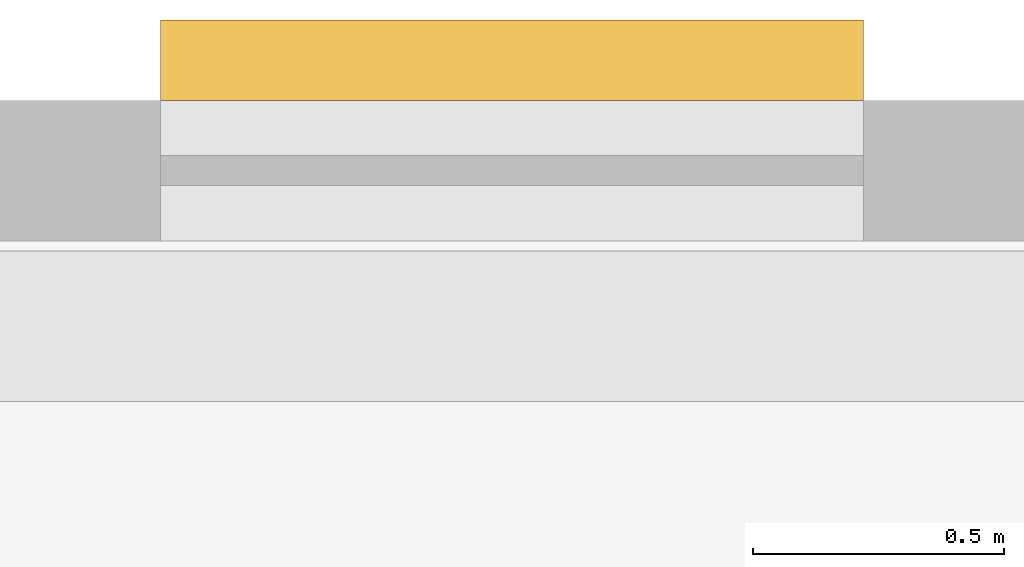
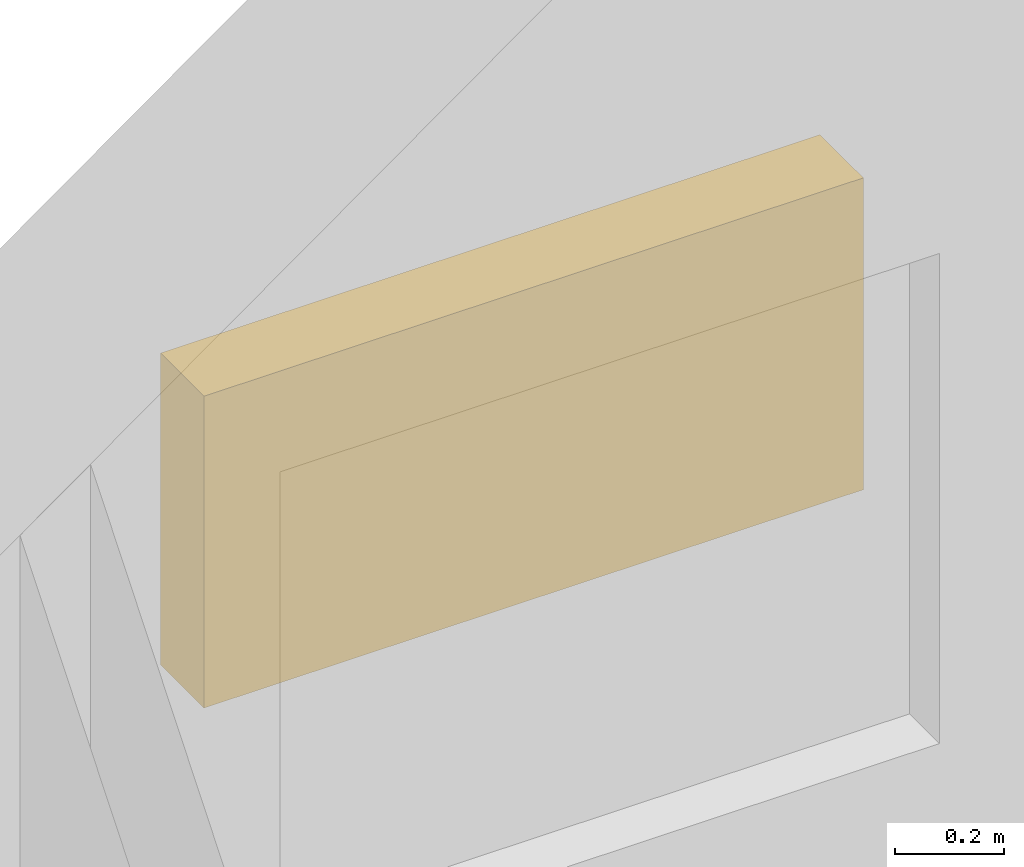
# One storey, part 10 of 10: 1 shading device.
"""IFC4 building model written with IfcOpenShell, lengths in metres."""

import ifcopenshell
import ifcopenshell.guid

model = None  # the IFC model being written
_history = None  # IfcOwnerHistory: only IFC2X3 demands one
_inside = {}  # id of a spatial element -> (the spatial element, [elements in it])
_under = {}  # id of a project, library or spatial element -> (it, [spatial elements below it])
_declared = {}  # id of a project -> (the project, [libraries it declares])
_typed = {}  # id of a type object -> (the type object, [elements of that type])
_made_of = {}  # id of a material, layer set ... -> (it, [elements and type objects made of it])


def new_model(schema):
    """Start an empty IFC model of exactly this schema.

    Asked for "IFC4X3", IfcOpenShell would pick the latest addendum, in which some entities
    have other attributes; the version numbers below select the first issue.
    IFC2X3 requires an IfcOwnerHistory on every rooted entity: one is made here for all.
    """
    global model, _history
    if schema == "IFC4X3":
        model = ifcopenshell.file(schema_version=(4, 3, 0, 0))
    else:
        model = ifcopenshell.file(schema=schema)
    _inside.clear()
    _under.clear()
    _declared.clear()
    _typed.clear()
    _made_of.clear()
    _history = None
    if model.schema == "IFC2X3":
        org = make("IfcOrganization", Name="unknown")
        user = make(
            "IfcPersonAndOrganization",
            ThePerson=make("IfcPerson", FamilyName="unknown"),
            TheOrganization=org,
        )
        app = make(
            "IfcApplication",
            ApplicationDeveloper=org,
            Version="unknown",
            ApplicationFullName="unknown",
            ApplicationIdentifier="unknown",
        )
        _history = make(
            "IfcOwnerHistory",
            OwningUser=user,
            OwningApplication=app,
            ChangeAction="ADDED",
            CreationDate=0,
        )
    return model


def make(cls, **values):
    """One entity of the class cls with the attributes given. An attribute that is None is left unset."""
    return model.create_entity(
        cls, **{name: value for name, value in values.items() if value is not None}
    )


def rooted(cls, **values):
    """An entity with a GlobalId (a new one), such as an element, a storey or a relation."""
    return make(cls, GlobalId=ifcopenshell.guid.new(), OwnerHistory=_history, **values)


def si_unit(unit_type, name, prefix=None):
    """IfcSIUnit, for example si_unit("LENGTHUNIT", "METRE", prefix="MILLI")."""
    return make("IfcSIUnit", UnitType=unit_type, Prefix=prefix, Name=name)


def assignment(units):
    """IfcUnitAssignment: the units of a project."""
    return None if units is None else make("IfcUnitAssignment", Units=units)


def point(xyz):
    """IfcCartesianPoint."""
    return None if xyz is None else make("IfcCartesianPoint", Coordinates=xyz)


def direction(xyz):
    """IfcDirection."""
    return None if xyz is None else make("IfcDirection", DirectionRatios=xyz)


def frame(location, z_axis=None, x_axis=None):
    """IfcAxis2Placement3D, a coordinate frame: its origin and axes. An axis left out is left unset."""
    return make(
        "IfcAxis2Placement3D",
        Location=point(location),
        Axis=direction(z_axis),
        RefDirection=direction(x_axis),
    )


def frame_2d(location, x_axis=None):
    """IfcAxis2Placement2D, a coordinate frame in the plane: its origin and x axis."""
    return make(
        "IfcAxis2Placement2D", Location=point(location), RefDirection=direction(x_axis)
    )


def origin():
    """The frame at (0, 0, 0) with its axes left unset."""
    return frame((0.0, 0.0, 0.0))


def origin_2d():
    """The frame at (0, 0) in the plane with its x axis left unset."""
    return frame_2d((0.0, 0.0))


def place(relative_to, where):
    """IfcLocalPlacement: puts the frame where relative to a parent placement (None: the world)."""
    return make(
        "IfcLocalPlacement", PlacementRelTo=relative_to, RelativePlacement=where
    )


def context(
    kind, dimensions, precision=None, world=None, true_north=None, identifier=None
):
    """IfcGeometricRepresentationContext, for example the 3D "Model" context."""
    return make(
        "IfcGeometricRepresentationContext",
        ContextIdentifier=identifier,
        ContextType=kind,
        CoordinateSpaceDimension=dimensions,
        Precision=precision,
        WorldCoordinateSystem=world,
        TrueNorth=true_north,
    )


def subcontext(parent, identifier, kind, view, scale=None):
    """IfcGeometricRepresentationSubContext, for example "Body" below "Model"."""
    return make(
        "IfcGeometricRepresentationSubContext",
        ContextIdentifier=identifier,
        ContextType=kind,
        ParentContext=parent,
        TargetScale=scale,
        TargetView=view,
    )


def project(units=None, contexts=None):
    """IfcProject with its units and contexts."""
    return rooted(
        "IfcProject",
        Name="project",
        RepresentationContexts=contexts,
        UnitsInContext=assignment(units),
    )


def spatial(cls, under=None, at=None, **own):
    """A site, building, storey or space (cls), placed at a placement, below another one or the project."""
    s = rooted(cls, ObjectPlacement=at, **own)
    if under is not None:
        _under.setdefault(under.id(), (under, []))[1].append(s)
    return s


def profile(cls, at=None, kind="AREA", **sizes):
    """A parametric profile (cls). Its sizes go by their IFC names, for example OverallWidth=200.0."""
    return make(cls, ProfileType=kind, Position=at, **sizes)


def rectangle(**sizes):
    """IfcRectangleProfileDef."""
    return profile("IfcRectangleProfileDef", **sizes)


def extrude(swept, where, along, depth):
    """IfcExtrudedAreaSolid: the profile swept, set in the frame where, extruded along a direction by depth."""
    return make(
        "IfcExtrudedAreaSolid",
        SweptArea=swept,
        Position=where,
        ExtrudedDirection=direction(along),
        Depth=depth,
    )


def shape(context_of_items, identifier, shape_type, items):
    """IfcShapeRepresentation: the items that make up one representation, for example the "Body"."""
    return make(
        "IfcShapeRepresentation",
        ContextOfItems=context_of_items,
        RepresentationIdentifier=identifier,
        RepresentationType=shape_type,
        Items=items,
    )


def material(Name=None, Category=None):
    """IfcMaterial."""
    return make("IfcMaterial", Name=Name, Category=Category)


def made_of(thing, what):
    """Note that an element or type object is made of a material, layer set ...; save() writes the relation."""
    if what is not None:
        _made_of.setdefault(what.id(), (what, []))[1].append(thing)
    return thing


def type_object(cls, material=None, **own):
    """A type object (cls), such as IfcWallType, which elements share."""
    return made_of(rooted(cls, **own), material)


def element(
    cls,
    number,
    at=None,
    inside=None,
    cuts=None,
    type_object=None,
    material=None,
    context=None,
    identifier="Body",
    shape_type=None,
    held_by="IfcProductDefinitionShape",
    body=None,
    shapes=None,
    **own,
):
    """One element of the class cls, such as IfcWall. Its Tag is "e" and its number.

    at: its placement. inside: the storey or other place that contains it. cuts: it is an
    opening in that element (IfcRelVoidsElement). A single representation is given by context,
    identifier, shape_type and body (its items); several are given by shapes. held_by: the class
    of the entity that holds the representations. save() writes the other relations.
    """
    e = rooted(cls, Tag="e%d" % number, ObjectPlacement=at, **own)
    if body is not None:
        shapes = [shape(context, identifier, shape_type, body)]
    if shapes is not None:
        e.Representation = make(held_by, Representations=shapes)
    if inside is not None:
        _inside.setdefault(inside.id(), (inside, []))[1].append(e)
    if cuts is not None:
        rooted(
            "IfcRelVoidsElement", RelatingBuildingElement=cuts, RelatedOpeningElement=e
        )
    if type_object is not None:
        _typed.setdefault(type_object.id(), (type_object, []))[1].append(e)
    return made_of(e, material)


def aggregate(whole, parts):
    """IfcRelAggregates: a whole, such as a stair, and the parts it consists of."""
    return rooted("IfcRelAggregates", RelatingObject=whole, RelatedObjects=parts)


def save(model, path):
    """Write the relations noted so far, then the file.

    IfcRelAggregates (storeys below a building ...), IfcRelContainedInSpatialStructure (elements
    in a storey), IfcRelDefinesByType, IfcRelAssociatesMaterial and IfcRelDeclares: one each for
    every whole, place, type object, material and project.
    """
    for whole, parts in _under.values():
        aggregate(whole, parts)
    for where, things in _inside.values():
        rooted(
            "IfcRelContainedInSpatialStructure",
            RelatedElements=things,
            RelatingStructure=where,
        )
    for kind, things in _typed.values():
        rooted("IfcRelDefinesByType", RelatedObjects=things, RelatingType=kind)
    for what, things in _made_of.values():
        rooted("IfcRelAssociatesMaterial", RelatedObjects=things, RelatingMaterial=what)
    for by, libraries in _declared.values():
        rooted("IfcRelDeclares", RelatingContext=by, RelatedDefinitions=libraries)
    model.write(path)


model = new_model("IFC4")

# Units and contexts
model_context = context("Model", 3, precision=1e-05, world=origin(), true_north=direction((0.0, 1.0)))
body_context = subcontext(model_context, "Body", "Model", "MODEL_VIEW")
ifc_project = project(units=[si_unit("LENGTHUNIT", "METRE"), si_unit("AREAUNIT", "SQUARE_METRE"), si_unit("VOLUMEUNIT", "CUBIC_METRE"), si_unit("PLANEANGLEUNIT", "RADIAN"), si_unit("MASSUNIT", "GRAM", prefix="KILO")], contexts=[model_context])

# Site, building, storey
site_placement = place(None, origin())
site = spatial("IfcSite", under=ifc_project, at=site_placement, CompositionType="ELEMENT")
building_placement = place(site_placement, origin())
building = spatial("IfcBuilding", under=site, at=building_placement, Name="Orvandelia Arch Residences", CompositionType="ELEMENT")
storey_placement = place(building_placement, frame((0.0, 0.0, 229.0)))
storey = spatial("IfcBuildingStorey", under=building, at=storey_placement, Name="L60", CompositionType="ELEMENT", Elevation=229.0)

# Shading device
ifc_material = material(Name="Anodised Champagne-Bronze Extruded Aluminium", Category="aluminium")
shading_device_type = type_object("IfcShadingDeviceType", Name="SHD-JALOUSIE-SCREEN", PredefinedType="JALOUSIE", material=ifc_material)
shading_device_placement = place(storey_placement, frame((12.777587890625, 48.080078125, 1.0498046875), z_axis=(0.0, 0.0, 1.0), x_axis=(1.0, 0.0, 0.0)))
element("IfcShadingDevice", 1, at=shading_device_placement, inside=storey, type_object=shading_device_type, Name="Bronze Jalousie Sun-Shade L60-001", PredefinedType="JALOUSIE", context=body_context, shape_type="SweptSolid", body=[
    extrude(rectangle(XDim=1.39990234375, YDim=0.159912109375, at=origin_2d()), origin(), (0.0, 0.0, 1.0), 0.699951171875),
])

save(model, "model.ifc")
